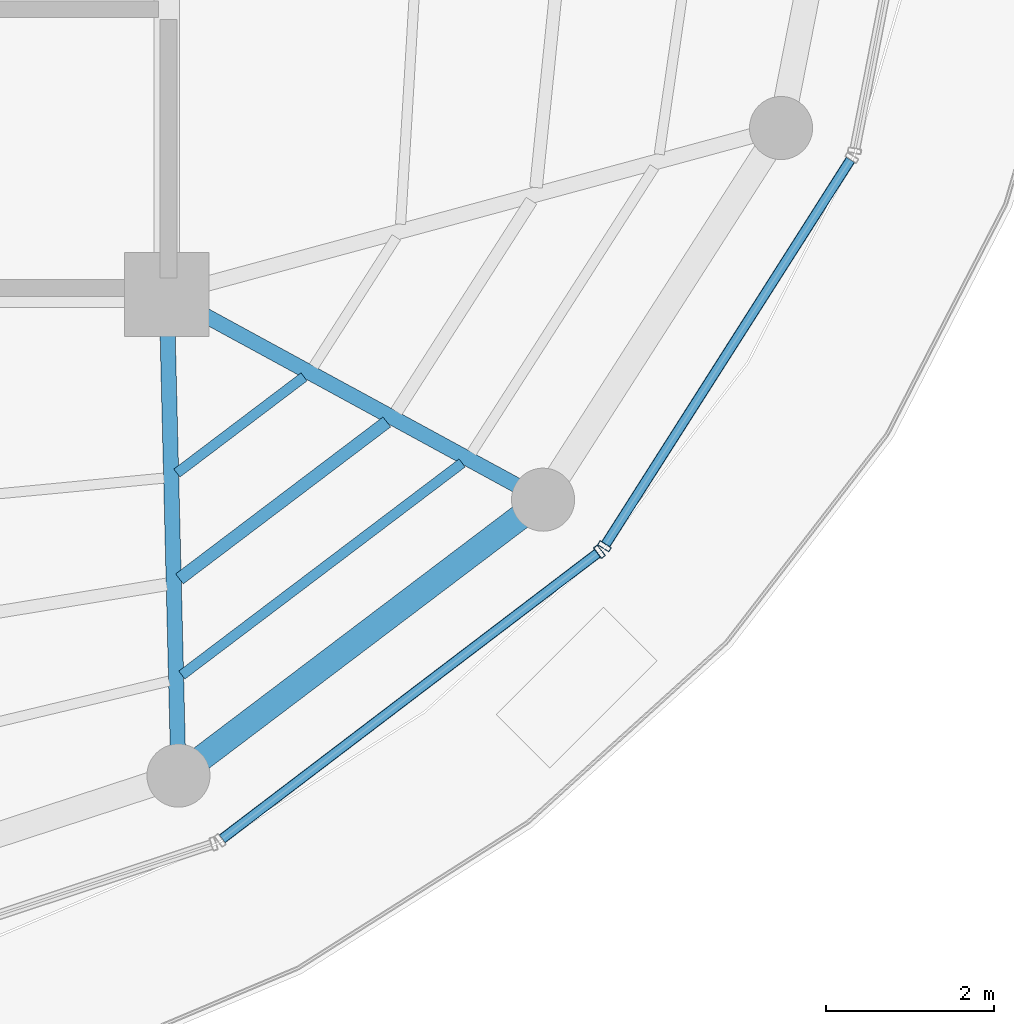
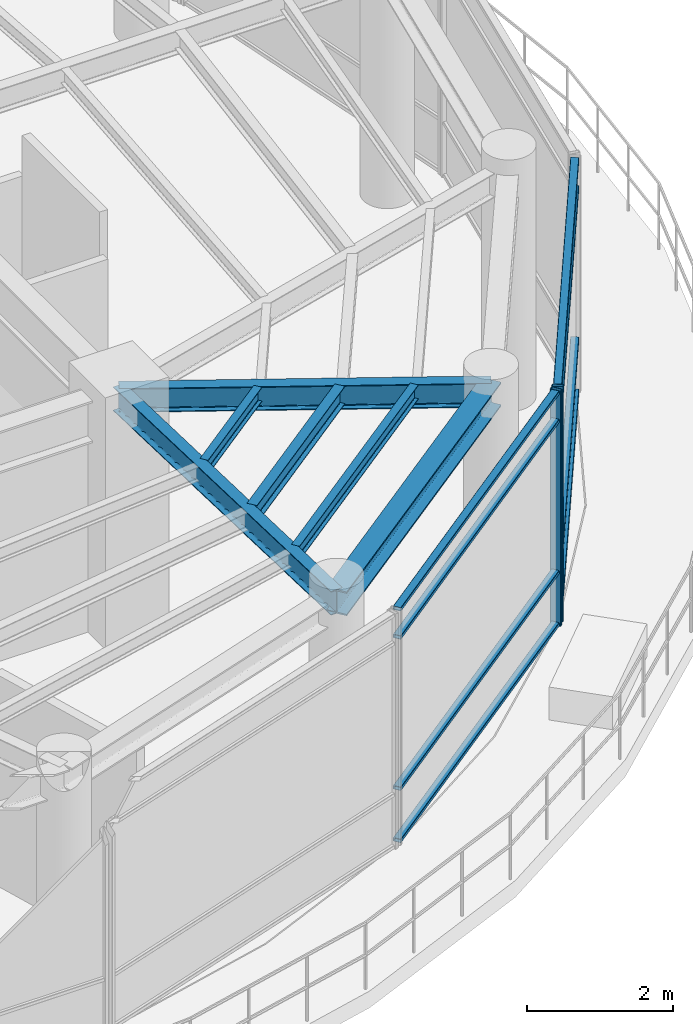
# One storey, part 7 of 20: 10 members, 6 beams, 2 elements without a shape of their own.
"""IFC4 building model written with IfcOpenShell, lengths in metres."""

from ifc_helpers import new_model, si_unit, direction, frame, origin, origin_2d, place, context, subcontext, project, spatial, hollow_rectangle, i_section, extrude, material, layer, layer_set, material_profile, profile_set, type_object, element, aggregate, save


model = new_model("IFC4")

# Units and contexts
model_context = context("Model", 3, precision=1e-05, world=origin(), true_north=direction((0.0, 1.0)))
body_context = subcontext(model_context, "Body", "Model", "MODEL_VIEW")
ifc_project = project(units=[si_unit("LENGTHUNIT", "METRE"), si_unit("AREAUNIT", "SQUARE_METRE"), si_unit("VOLUMEUNIT", "CUBIC_METRE"), si_unit("PLANEANGLEUNIT", "RADIAN"), si_unit("MASSUNIT", "GRAM", prefix="KILO")], contexts=[model_context])

# Site, building, storey
site_placement = place(None, origin())
site = spatial("IfcSite", under=ifc_project, at=site_placement, CompositionType="ELEMENT")
building_placement = place(site_placement, origin())
building = spatial("IfcBuilding", under=site, at=building_placement, Name="Kelanora Arch Commons", CompositionType="ELEMENT")
storey_placement = place(building_placement, frame((0.0, 0.0, 298.5)))
storey = spatial("IfcBuildingStorey", under=building, at=storey_placement, Name="L76", CompositionType="ELEMENT", Elevation=298.5)

# Beams
ifc_material_1 = material(Name="Steel S355", Category="steel")
ifc_material_profile_1 = material_profile(ifc_material_1, i_section(OverallWidth=0.14990234375, OverallDepth=0.300048828125, WebThickness=0.007080078125, FlangeThickness=0.0107421875, FilletRadius=0.014892578125, at=origin_2d()), Name="IPE300")
ifc_profile_set_1 = profile_set([ifc_material_profile_1], Name="Steel S355")
beam_type_1 = type_object("IfcBeamType", Name="BM-JST-01", PredefinedType="JOIST", material=ifc_profile_set_1)
beam_1_placement = place(storey_placement, frame((82.15185546875, 47.623291015625, 3.7900390625), z_axis=(0.797441333972, 0.603396485632, 0.0), x_axis=(-0.603396485632, 0.797441333972, 0.0)))
element("IfcBeam", 1, at=beam_1_placement, inside=storey, type_object=beam_type_1, Name="Secondary Chord Joist BJB-30 L76", PredefinedType="JOIST", context=body_context, shape_type="SweptSolid", body=[
    extrude(i_section(OverallWidth=0.14990234375, OverallDepth=0.300048828125, WebThickness=0.007080078125, FlangeThickness=0.0107421875, FilletRadius=0.014892578125, at=origin_2d()), origin(), (0.0, 0.0, 1.0), 3.0888671875),
])
ifc_material_profile_2 = material_profile(ifc_material_1, i_section(OverallWidth=0.1201171875, OverallDepth=0.239990234375, WebThickness=0.006103515625, FlangeThickness=0.009765625, FilletRadius=0.014892578125, at=origin_2d()), Name="IPE240")
ifc_profile_set_2 = profile_set([ifc_material_profile_2], Name="Steel S355")
beam_type_2 = type_object("IfcBeamType", Name="BM-JST-02", PredefinedType="JOIST", material=ifc_profile_set_2)
beam_2_placement = place(storey_placement, frame((82.12109375, 48.880126953125, 3.820068359375), z_axis=(0.797424826317, 0.603418301324, 0.0), x_axis=(-0.603418301324, 0.797424826317, 0.0)))
element("IfcBeam", 2, at=beam_2_placement, inside=storey, type_object=beam_type_2, Name="Secondary Chord Joist BJA-30 L76", PredefinedType="JOIST", context=body_context, shape_type="SweptSolid", body=[
    extrude(i_section(OverallWidth=0.1201171875, OverallDepth=0.239990234375, WebThickness=0.006103515625, FlangeThickness=0.009765625, FilletRadius=0.014892578125, at=origin_2d()), origin(), (0.0, 0.0, 1.0), 1.893798828125),
])
beam_3_placement = place(storey_placement, frame((82.1796875, 46.480712890625, 3.820068359375), z_axis=(0.797480905842, 0.603344184373, 0.0), x_axis=(-0.603344184373, 0.797480905842, 0.0)))
element("IfcBeam", 3, at=beam_3_placement, inside=storey, type_object=beam_type_2, Name="Secondary Chord Joist BJC-30 L76", PredefinedType="JOIST", context=body_context, shape_type="SweptSolid", body=[
    extrude(i_section(OverallWidth=0.1201171875, OverallDepth=0.239990234375, WebThickness=0.006103515625, FlangeThickness=0.009765625, FilletRadius=0.014892578125, at=origin_2d()), origin(), (0.0, 0.0, 1.0), 4.175048828125),
])
ifc_material_profile_3 = material_profile(ifc_material_1, i_section(OverallWidth=0.179931640625, OverallDepth=0.39990234375, WebThickness=0.008544921875, FlangeThickness=0.013427734375, FilletRadius=0.02099609375, at=origin_2d()), Name="IPE400")
ifc_profile_set_3 = profile_set([ifc_material_profile_3], Name="Steel S355")
beam_type_3 = type_object("IfcBeamType", Name="BM-RAD-Z5", PredefinedType="BEAM", material=ifc_profile_set_3)
beam_4_placement = place(storey_placement, frame((82.0, 51.0, 3.739990234375), z_axis=(0.0244777504, -0.99970037498, 0.0), x_axis=(0.99970037498, 0.0244777504, 0.0)))
element("IfcBeam", 4, at=beam_4_placement, inside=storey, type_object=beam_type_3, Name="Radial Floor Girder BR-30 L76", PredefinedType="BEAM", context=body_context, shape_type="SweptSolid", body=[
    extrude(i_section(OverallWidth=0.179931640625, OverallDepth=0.39990234375, WebThickness=0.008544921875, FlangeThickness=0.013427734375, FilletRadius=0.02099609375, at=origin_2d()), origin(), (0.0, 0.0, 1.0), 5.715087890625),
])
beam_5_placement = place(storey_placement, frame((82.0, 51.0, 3.739990234375), z_axis=(0.878126355987, -0.478428785631, 0.0), x_axis=(0.478428785631, 0.878126355987, 0.0)))
element("IfcBeam", 5, at=beam_5_placement, inside=storey, type_object=beam_type_3, Name="Radial Floor Girder BR-32 L76", PredefinedType="BEAM", context=body_context, shape_type="SweptSolid", body=[
    extrude(i_section(OverallWidth=0.179931640625, OverallDepth=0.39990234375, WebThickness=0.008544921875, FlangeThickness=0.013427734375, FilletRadius=0.02099609375, at=origin_2d()), origin(), (0.0, 0.0, 1.0), 5.091796875),
])
ifc_material_profile_4 = material_profile(ifc_material_1, i_section(OverallWidth=0.300048828125, OverallDepth=0.39990234375, WebThickness=0.013427734375, FlangeThickness=0.02392578125, FilletRadius=0.027099609375, at=origin_2d()), Name="HEB400")
ifc_profile_set_4 = profile_set([ifc_material_profile_4], Name="Steel S355")
beam_type_4 = type_object("IfcBeamType", Name="BM-SPN-Z4", PredefinedType="SPANDREL", material=ifc_profile_set_4)
beam_6_placement = place(storey_placement, frame((82.139892578125, 45.28662109375, 3.739990234375), z_axis=(0.797441458309, 0.603396321309, 0.0), x_axis=(-0.603396321309, 0.797441458309, 0.0)))
element("IfcBeam", 6, at=beam_6_placement, inside=storey, type_object=beam_type_4, Name="Perimeter Spandrel Beam BS-30 L76", PredefinedType="SPANDREL", context=body_context, shape_type="SweptSolid", body=[
    extrude(i_section(OverallWidth=0.300048828125, OverallDepth=0.39990234375, WebThickness=0.013427734375, FlangeThickness=0.02392578125, FilletRadius=0.027099609375, at=origin_2d()), origin(), (0.0, 0.0, 1.0), 5.431396484375),
])

# Curtain wall, member
ifc_material_2 = material(Name="Terracotta ceramic-fritted low-E glass and aluminium", Category="masonry")
ifc_layer = layer(ifc_material_2, 0.14990234375)
ifc_layer_set = layer_set([ifc_layer], Name="Terracotta ceramic-fritted low-E glass and aluminium")
curtain_wall_type = type_object("IfcCurtainWallType", Name="CW-SYS-06", PredefinedType="NOTDEFINED", material=ifc_layer_set)
curtain_wall_1_placement = place(storey_placement, origin())
curtain_wall_1 = element("IfcCurtainWall", 7, at=curtain_wall_1_placement, inside=storey, type_object=curtain_wall_type, Name="Unitised Curtain Wall L76-B15", PredefinedType="NOTDEFINED")
ifc_material_3 = material(Name="Powder-coated aluminium terracotta", Category="masonry")
ifc_material_profile_5 = material_profile(ifc_material_3, hollow_rectangle(XDim=0.159912109375, YDim=0.06005859375, WallThickness=0.0048828125, InnerFilletRadius=0.0048828125, OuterFilletRadius=0.010009765625, at=origin_2d()), Name="CWM160x60")
ifc_profile_set_5 = profile_set([ifc_material_profile_5], Name="Powder-coated aluminium terracotta")
member_type_1 = type_object("IfcMemberType", Name="CWM-STD", PredefinedType="MULLION", material=ifc_profile_set_5)
member_1_placement = place(storey_placement, frame((87.14013671875, 47.9453125, 0.0), z_axis=(0.0, 0.0, 1.0), x_axis=(-0.605595960801, 0.795772286688, 0.0)))
member_1 = element("IfcMember", 8, at=member_1_placement, type_object=member_type_1, Name="CW-06 mullion 2", PredefinedType="MULLION", context=body_context, shape_type="SweptSolid", body=[
    extrude(hollow_rectangle(XDim=0.159912109375, YDim=0.06005859375, WallThickness=0.0048828125, InnerFilletRadius=0.0048828125, OuterFilletRadius=0.010009765625, at=origin_2d()), origin(), (0.0, 0.0, 1.0), 3.925048828125),
])

curtain_wall_2_placement = place(storey_placement, origin())
curtain_wall_2 = element("IfcCurtainWall", 9, at=curtain_wall_2_placement, inside=storey, type_object=curtain_wall_type, Name="Unitised Curtain Wall L76-B16", PredefinedType="NOTDEFINED")
member_2_placement = place(storey_placement, frame((87.2001953125, 48.010498046875, 0.0), z_axis=(0.0, 0.0, 1.0), x_axis=(-0.84359225554, 0.536984270154, 0.0)))
member_2 = element("IfcMember", 10, at=member_2_placement, type_object=member_type_1, Name="CW-06 mullion 1", PredefinedType="MULLION", context=body_context, shape_type="SweptSolid", body=[
    extrude(hollow_rectangle(XDim=0.159912109375, YDim=0.06005859375, WallThickness=0.0048828125, InnerFilletRadius=0.0048828125, OuterFilletRadius=0.010009765625, at=origin_2d()), origin(), (0.0, 0.0, 1.0), 3.925048828125),
])

# Member
ifc_material_profile_6 = material_profile(ifc_material_3, hollow_rectangle(XDim=0.1201171875, YDim=0.06005859375, WallThickness=0.0048828125, InnerFilletRadius=0.0048828125, OuterFilletRadius=0.010009765625, at=origin_2d()), Name="CWT120x60")
ifc_profile_set_6 = profile_set([ifc_material_profile_6], Name="Powder-coated aluminium terracotta")
member_type_2 = type_object("IfcMemberType", Name="CWT-STD", PredefinedType="USERDEFINED", material=ifc_profile_set_6)
member_3_placement = place(storey_placement, frame((82.65966796875, 44.535400390625, 0.030029296875), z_axis=(0.79577982782, 0.605586051387, 0.0), x_axis=(-0.605586051387, 0.79577982782, 0.0)))
member_3 = element("IfcMember", 11, at=member_3_placement, type_object=member_type_2, Name="CW-06 transom 1.1", ObjectType="TRANSOM", PredefinedType="USERDEFINED", context=body_context, shape_type="SweptSolid", body=[
    extrude(hollow_rectangle(XDim=0.1201171875, YDim=0.06005859375, WallThickness=0.0048828125, InnerFilletRadius=0.0048828125, OuterFilletRadius=0.010009765625, at=origin_2d()), origin(), (0.0, 0.0, 1.0), 5.6005859375),
])

member_4_placement = place(storey_placement, frame((82.65966796875, 44.535400390625, 0.89990234375), z_axis=(0.79577982782, 0.605586051387, 0.0), x_axis=(-0.605586051387, 0.79577982782, 0.0)))
member_4 = element("IfcMember", 12, at=member_4_placement, type_object=member_type_2, Name="CW-06 transom 1.2", ObjectType="TRANSOM", PredefinedType="USERDEFINED", context=body_context, shape_type="SweptSolid", body=[
    extrude(hollow_rectangle(XDim=0.1201171875, YDim=0.06005859375, WallThickness=0.0048828125, InnerFilletRadius=0.0048828125, OuterFilletRadius=0.010009765625, at=origin_2d()), origin(), (0.0, 0.0, 1.0), 5.6005859375),
])

member_5_placement = place(storey_placement, frame((82.65966796875, 44.535400390625, 3.425048828125), z_axis=(0.79577982782, 0.605586051387, 0.0), x_axis=(-0.605586051387, 0.79577982782, 0.0)))
member_5 = element("IfcMember", 13, at=member_5_placement, type_object=member_type_2, Name="CW-06 transom 1.3", ObjectType="TRANSOM", PredefinedType="USERDEFINED", context=body_context, shape_type="SweptSolid", body=[
    extrude(hollow_rectangle(XDim=0.1201171875, YDim=0.06005859375, WallThickness=0.0048828125, InnerFilletRadius=0.0048828125, OuterFilletRadius=0.010009765625, at=origin_2d()), origin(), (0.0, 0.0, 1.0), 5.6005859375),
])

member_6_placement = place(storey_placement, frame((82.65966796875, 44.535400390625, 3.89501953125), z_axis=(0.79577982782, 0.605586051387, 0.0), x_axis=(-0.605586051387, 0.79577982782, 0.0)))
member_6 = element("IfcMember", 14, at=member_6_placement, type_object=member_type_2, Name="CW-06 transom 1.4", ObjectType="TRANSOM", PredefinedType="USERDEFINED", context=body_context, shape_type="SweptSolid", body=[
    extrude(hollow_rectangle(XDim=0.1201171875, YDim=0.06005859375, WallThickness=0.0048828125, InnerFilletRadius=0.0048828125, OuterFilletRadius=0.010009765625, at=origin_2d()), origin(), (0.0, 0.0, 1.0), 5.6005859375),
])

aggregate(curtain_wall_1, [member_1, member_3, member_4, member_5, member_6])

member_7_placement = place(storey_placement, frame((87.21630859375, 48.035888671875, 0.030029296875), z_axis=(0.536992252766, 0.843587174197, 0.0), x_axis=(-0.843587174197, 0.536992252766, 0.0)))
member_7 = element("IfcMember", 15, at=member_7_placement, type_object=member_type_2, Name="CW-06 transom 1.1", ObjectType="TRANSOM", PredefinedType="USERDEFINED", context=body_context, shape_type="SweptSolid", body=[
    extrude(hollow_rectangle(XDim=0.1201171875, YDim=0.06005859375, WallThickness=0.0048828125, InnerFilletRadius=0.0048828125, OuterFilletRadius=0.010009765625, at=origin_2d()), origin(), (0.0, 0.0, 1.0), 5.41162109375),
])

member_8_placement = place(storey_placement, frame((87.21630859375, 48.035888671875, 0.89990234375), z_axis=(0.536992252766, 0.843587174197, 0.0), x_axis=(-0.843587174197, 0.536992252766, 0.0)))
member_8 = element("IfcMember", 16, at=member_8_placement, type_object=member_type_2, Name="CW-06 transom 1.2", ObjectType="TRANSOM", PredefinedType="USERDEFINED", context=body_context, shape_type="SweptSolid", body=[
    extrude(hollow_rectangle(XDim=0.1201171875, YDim=0.06005859375, WallThickness=0.0048828125, InnerFilletRadius=0.0048828125, OuterFilletRadius=0.010009765625, at=origin_2d()), origin(), (0.0, 0.0, 1.0), 5.41162109375),
])

member_9_placement = place(storey_placement, frame((87.21630859375, 48.035888671875, 3.425048828125), z_axis=(0.536992252766, 0.843587174197, 0.0), x_axis=(-0.843587174197, 0.536992252766, 0.0)))
member_9 = element("IfcMember", 17, at=member_9_placement, type_object=member_type_2, Name="CW-06 transom 1.3", ObjectType="TRANSOM", PredefinedType="USERDEFINED", context=body_context, shape_type="SweptSolid", body=[
    extrude(hollow_rectangle(XDim=0.1201171875, YDim=0.06005859375, WallThickness=0.0048828125, InnerFilletRadius=0.0048828125, OuterFilletRadius=0.010009765625, at=origin_2d()), origin(), (0.0, 0.0, 1.0), 5.41162109375),
])

member_10_placement = place(storey_placement, frame((87.21630859375, 48.035888671875, 3.89501953125), z_axis=(0.536992252766, 0.843587174197, 0.0), x_axis=(-0.843587174197, 0.536992252766, 0.0)))
member_10 = element("IfcMember", 18, at=member_10_placement, type_object=member_type_2, Name="CW-06 transom 1.4", ObjectType="TRANSOM", PredefinedType="USERDEFINED", context=body_context, shape_type="SweptSolid", body=[
    extrude(hollow_rectangle(XDim=0.1201171875, YDim=0.06005859375, WallThickness=0.0048828125, InnerFilletRadius=0.0048828125, OuterFilletRadius=0.010009765625, at=origin_2d()), origin(), (0.0, 0.0, 1.0), 5.41162109375),
])

aggregate(curtain_wall_2, [member_2, member_7, member_8, member_9, member_10])

save(model, "model.ifc")
